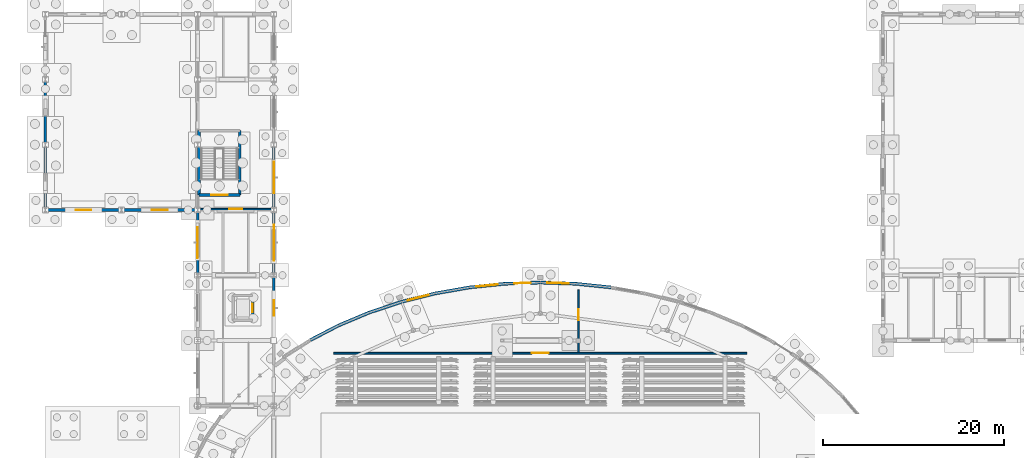
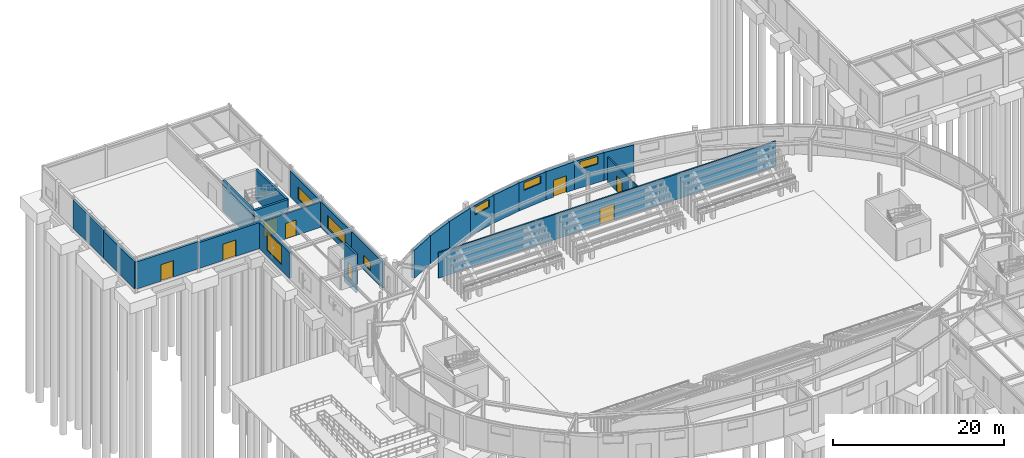
# One storey, part 60 of 93: 24 walls, 8 doors, 7 windows, 15 openings.
"""IFC4 building model written with IfcOpenShell, lengths in metres."""

from ifc_helpers import new_model, si_unit, derived_unit, direction, frame, frame_2d, origin, place, context, subcontext, project, spatial, rectangle, extrude, material, layer, layer_set, type_object, element, fill, save


model = new_model("IFC4")

# Units and contexts
model_context = context("Model", 3, precision=1e-05, world=origin(), true_north=direction((0.0, 1.0)))
body_context = subcontext(model_context, "Body", "Model", "MODEL_VIEW")
ifc_project = project(units=[si_unit("LENGTHUNIT", "METRE"), si_unit("AREAUNIT", "SQUARE_METRE"), si_unit("VOLUMEUNIT", "CUBIC_METRE"), si_unit("PLANEANGLEUNIT", "RADIAN"), si_unit("MASSUNIT", "GRAM", prefix="KILO"), derived_unit("THERMALTRANSMITTANCEUNIT", [(si_unit("MASSUNIT", "GRAM", prefix="KILO"), 1), (si_unit("TIMEUNIT", "SECOND"), -3), (si_unit("THERMODYNAMICTEMPERATUREUNIT", "KELVIN"), -1)])], contexts=[model_context])

# Site, building, storey
site_placement = place(None, origin())
site = spatial("IfcSite", under=ifc_project, at=site_placement, CompositionType="ELEMENT")
building_placement = place(site_placement, origin())
building = spatial("IfcBuilding", under=site, at=building_placement, Name="Kharveza Railside Sports Centre", CompositionType="ELEMENT")
storey_placement = place(building_placement, origin())
storey = spatial("IfcBuildingStorey", under=building, at=storey_placement, Name="L00", CompositionType="ELEMENT", Elevation=0.0)

# Wall, opening, door
ifc_material_1 = material(Name="Concrete C35/45", Category="concrete")
ifc_layer_1 = layer(ifc_material_1, 0.25, Name="Concrete C35/45")
ifc_layer_set_1 = layer_set([ifc_layer_1], Name="Concrete C35/45")
wall_type_1 = type_object("IfcWallType", Name="WL-CR250", PredefinedType="SHEAR", material=ifc_layer_set_1)
wall_1_placement = place(storey_placement, frame((22.875, 74.22509765625, -1.199951171875), z_axis=(0.0, 0.0, 1.0), x_axis=(0.0, 1.0, 0.0)))
wall_1 = element("IfcWall", 1, at=wall_1_placement, inside=storey, type_object=wall_type_1, Name="WL-LFSH-LF4-L00-E", PredefinedType="SHEAR", context=body_context, shape_type="SweptSolid", body=[
    extrude(rectangle(XDim=2.75, YDim=0.25, at=frame_2d((1.375, 0.0))), origin(), (0.0, 0.0, 1.0), 5.52001953125),
])
opening_1_placement = place(wall_1_placement, frame((0.89990234375, 0.0, 1.199951171875)))
opening_1 = element("IfcOpeningElement", 2, at=opening_1_placement, cuts=wall_1, Name="Opening D12", PredefinedType="OPENING", context=body_context, shape_type="SweptSolid", body=[
    extrude(rectangle(XDim=0.949951171875, YDim=2.10009765625, at=frame_2d((0.47509765625, 1.050048828125))), frame((0.0, 0.14990234375, 0.0), z_axis=(0.0, -1.0, 0.0), x_axis=(1.0, 0.0, 0.0)), (0.0, 0.0, 1.0), 0.2998046875),
])
ifc_material_2 = material(Name="Brushed stainless steel landing door", Category="steel")
door_type_1 = type_object("IfcDoorType", Name="DR-LF02", OperationType="NOTDEFINED", PredefinedType="DOOR", material=ifc_material_2)
door_1_placement = place(opening_1_placement, origin())
door_1 = element("IfcDoor", 3, at=door_1_placement, inside=storey, type_object=door_type_1, Name="DR-LD-LF4-L00", OperationType="SLIDING_TO_LEFT", OverallHeight=2.10009765625, OverallWidth=0.949951171875, PredefinedType="DOOR", context=body_context, shape_type="SweptSolid", body=[
    extrude(rectangle(XDim=0.949951171875, YDim=2.10009765625, at=frame_2d((0.47509765625, 1.050048828125))), frame((0.0, 0.02490234375, 0.0), z_axis=(0.0, -1.0, 0.0), x_axis=(1.0, 0.0, 0.0)), (0.0, 0.0, 1.0), 0.050048828125),
])
fill(opening_1, door_1)

ifc_layer_2 = layer(ifc_material_1, 0.300048828125, Name="Concrete C35/45")
ifc_layer_set_2 = layer_set([ifc_layer_2], Name="Concrete C35/45")
wall_type_2 = type_object("IfcWallType", Name="WL-CR300", PredefinedType="SHEAR", material=ifc_layer_set_2)
wall_2_placement = place(storey_placement, frame((16.949951171875, 88.050048828125, 0.0), z_axis=(0.0, 0.0, 1.0), x_axis=(1.0, 0.0, 0.0)))
wall_2 = element("IfcWall", 4, at=wall_2_placement, inside=storey, type_object=wall_type_2, Name="WL-CORE-ST6-L00-S", PredefinedType="SHEAR", context=body_context, shape_type="SweptSolid", body=[
    extrude(rectangle(XDim=4.5, YDim=0.300048828125, at=frame_2d((2.25, 0.0))), origin(), (0.0, 0.0, 1.0), 4.320068359375),
])
opening_2_placement = place(wall_2_placement, frame((1.35009765625, 0.0, 0.0)))
opening_2 = element("IfcOpeningElement", 5, at=opening_2_placement, cuts=wall_2, Name="Opening D08", PredefinedType="OPENING", context=body_context, shape_type="SweptSolid", body=[
    extrude(rectangle(XDim=1.800048828125, YDim=2.199951171875, at=frame_2d((0.89990234375, 1.10009765625))), frame((0.0, 0.1748046875, 0.0), z_axis=(0.0, -1.0, 0.0), x_axis=(1.0, 0.0, 0.0)), (0.0, 0.0, 1.0), 0.349853515625),
])
ifc_material_3 = material(Name="Fire-rated hardwood door leaf", Category="wood")
door_type_2 = type_object("IfcDoorType", Name="DR-ST01", OperationType="NOTDEFINED", PredefinedType="DOOR", material=ifc_material_3)
door_2_placement = place(opening_2_placement, frame((1.800048828125, 0.0, 0.0), z_axis=(0.0, 0.0, 1.0), x_axis=(-1.0, 0.0, 0.0)))
door_2 = element("IfcDoor", 6, at=door_2_placement, inside=storey, type_object=door_type_2, Name="DR-ST-ST6-L00", OperationType="DOUBLE_DOOR_SINGLE_SWING", OverallHeight=2.199951171875, OverallWidth=1.800048828125, PredefinedType="DOOR", context=body_context, shape_type="SweptSolid", body=[
    extrude(rectangle(XDim=1.800048828125, YDim=2.199951171875, at=frame_2d((0.89990234375, 1.10009765625))), frame((0.0, 0.02490234375, 0.0), z_axis=(0.0, -1.0, 0.0), x_axis=(1.0, 0.0, 0.0)), (0.0, 0.0, 1.0), 0.050048828125),
])
fill(opening_2, door_2)

# Walls
for number, where, z_axis, x_axis, name in (
    (7, (21.449951171875, 88.050048828125, 0.0), (0.0, 0.0, 1.0), (0.0, 1.0, 0.0), "WL-CORE-ST6-L00-E"),
    (8, (16.949951171875, 95.14990234375, 0.0), (0.0, 0.0, 1.0), (0.0, -1.0, 0.0), "WL-CORE-ST6-L00-W"),
):
    element("IfcWall", number, at=place(storey_placement, frame(where, z_axis=z_axis, x_axis=x_axis)), inside=storey, type_object=wall_type_2, Name=name, PredefinedType="SHEAR", context=body_context, shape_type="SweptSolid", body=[
        extrude(rectangle(XDim=7.099853515625, YDim=0.300048828125, at=frame_2d((3.5498046875, 0.0))), origin(), (0.0, 0.0, 1.0), 4.320068359375),
    ])
ifc_material_4 = material(Name="Precast concrete C40/50", Category="concrete")
ifc_layer_3 = layer(ifc_material_4, 0.360107421875, Name="Precast concrete C40/50")
ifc_layer_set_3 = layer_set([ifc_layer_3], Name="Precast concrete C40/50")
wall_type_3 = type_object("IfcWallType", Name="WL-DR360", PredefinedType="STANDARD", material=ifc_layer_set_3)
wall_3_placement = place(storey_placement, frame((62.403564453125, 77.862060546875, 0.0), z_axis=(0.0, 0.0, 1.0), x_axis=(-0.994654867494, 0.103255482032, 0.0)))
element("IfcWall", 9, at=wall_3_placement, inside=storey, type_object=wall_type_3, Name="WL-DRUM-L00-15", PredefinedType="STANDARD", context=body_context, shape_type="SweptSolid", body=[
    extrude(rectangle(XDim=3.903564453125, YDim=0.360107421875, at=frame_2d((1.95166015625, 0.0))), origin(), (0.0, 0.0, 1.0), 4.010009765625),
])

# Wall, opening, window
wall_4_placement = place(storey_placement, frame((58.520751953125, 78.26513671875, 0.0), z_axis=(0.0, 0.0, 1.0), x_axis=(-0.99940976287, 0.034352960278, 0.0)))
wall_4 = element("IfcWall", 10, at=wall_4_placement, inside=storey, type_object=wall_type_3, Name="WL-DRUM-L00-16", PredefinedType="STANDARD", context=body_context, shape_type="SweptSolid", body=[
    extrude(rectangle(XDim=3.9228515625, YDim=0.360107421875, at=frame_2d((1.96142578125, 0.0))), origin(), (0.0, 0.0, 1.0), 4.010009765625),
])
opening_3_placement = place(wall_4_placement, frame((0.761474609375, 0.0, 2.64990234375)))
opening_3 = element("IfcOpeningElement", 11, at=opening_3_placement, cuts=wall_4, Name="Opening WN09", PredefinedType="OPENING", context=body_context, shape_type="SweptSolid", body=[
    extrude(rectangle(XDim=2.39990234375, YDim=1.10009765625, at=frame_2d((1.199951171875, 0.550048828125))), frame((0.0, 0.205078125, 0.0), z_axis=(0.0, -1.0, 0.0), x_axis=(1.0, 0.0, 0.0)), (0.0, 0.0, 1.0), 0.409912109375),
])
ifc_material_5 = material(Name="Low-E solar-control laminated glass", Category="glass")
window_type_1 = type_object("IfcWindowType", Name="WN-F09", PartitioningType="SINGLE_PANEL", PredefinedType="WINDOW", material=ifc_material_5)
window_1_placement = place(opening_3_placement, origin())
window_1 = element("IfcWindow", 12, at=window_1_placement, inside=storey, type_object=window_type_1, Name="WN-DRUM-CL-16", OverallHeight=1.10009765625, OverallWidth=2.39990234375, PartitioningType="SINGLE_PANEL", PredefinedType="WINDOW", context=body_context, shape_type="SweptSolid", body=[
    extrude(rectangle(XDim=2.39990234375, YDim=1.10009765625, at=frame_2d((1.199951171875, 0.550048828125))), frame((0.0, 0.030029296875, 0.0), z_axis=(0.0, -1.0, 0.0), x_axis=(1.0, 0.0, 0.0)), (0.0, 0.0, 1.0), 0.06005859375),
])
fill(opening_3, window_1)

# Wall, opening, door
wall_5_placement = place(storey_placement, frame((54.60009765625, 78.39990234375, 0.0), z_axis=(0.0, 0.0, 1.0), x_axis=(-0.999409836307, -0.034350823763, 0.0)))
wall_5 = element("IfcWall", 13, at=wall_5_placement, inside=storey, type_object=wall_type_3, Name="WL-DRUM-L00-17", PredefinedType="STANDARD", context=body_context, shape_type="SweptSolid", body=[
    extrude(rectangle(XDim=3.923095703125, YDim=0.360107421875, at=frame_2d((1.96142578125, 0.0))), origin(), (0.0, 0.0, 1.0), 4.010009765625),
])
opening_4_placement = place(wall_5_placement, frame((1.0615234375, 0.0, 0.0)))
opening_4 = element("IfcOpeningElement", 14, at=opening_4_placement, cuts=wall_5, Name="Opening D03", PredefinedType="OPENING", context=body_context, shape_type="SweptSolid", body=[
    extrude(rectangle(XDim=1.800048828125, YDim=2.39990234375, at=frame_2d((0.89990234375, 1.199951171875))), frame((0.0, 0.205078125, 0.0), z_axis=(0.0, -1.0, 0.0), x_axis=(1.0, 0.0, 0.0)), (0.0, 0.0, 1.0), 0.409912109375),
])
ifc_material_6 = material(Name="Anodised aluminium 6063-T6", Category="aluminium")
door_type_3 = type_object("IfcDoorType", Name="DR-EX03", OperationType="NOTDEFINED", PredefinedType="DOOR", material=ifc_material_6)
door_3_placement = place(opening_4_placement, frame((1.800048828125, 0.0, 0.0), z_axis=(0.0, 0.0, 1.0), x_axis=(-1.0, 0.0, 0.0)))
door_3 = element("IfcDoor", 15, at=door_3_placement, inside=storey, type_object=door_type_3, Name="DR-DRUM-EX-17", OperationType="DOUBLE_DOOR_SINGLE_SWING", OverallHeight=2.39990234375, OverallWidth=1.800048828125, PredefinedType="DOOR", context=body_context, shape_type="SweptSolid", body=[
    extrude(rectangle(XDim=1.800048828125, YDim=2.39990234375, at=frame_2d((0.89990234375, 1.199951171875))), frame((0.0, 0.02490234375, 0.0), z_axis=(0.0, -1.0, 0.0), x_axis=(1.0, 0.0, 0.0)), (0.0, 0.0, 1.0), 0.050048828125),
])
fill(opening_4, door_3)

# Wall, opening, window
wall_6_placement = place(storey_placement, frame((50.67919921875, 78.26513671875, 0.0), z_axis=(0.0, 0.0, 1.0), x_axis=(-0.994654867494, -0.103255482032, 0.0)))
wall_6 = element("IfcWall", 16, at=wall_6_placement, inside=storey, type_object=wall_type_3, Name="WL-DRUM-L00-18", PredefinedType="STANDARD", context=body_context, shape_type="SweptSolid", body=[
    extrude(rectangle(XDim=3.903564453125, YDim=0.360107421875, at=frame_2d((1.95166015625, 0.0))), origin(), (0.0, 0.0, 1.0), 4.010009765625),
])
opening_5_placement = place(wall_6_placement, frame((0.751953125, 0.0, 2.64990234375)))
opening_5 = element("IfcOpeningElement", 17, at=opening_5_placement, cuts=wall_6, Name="Opening WN09", PredefinedType="OPENING", context=body_context, shape_type="SweptSolid", body=[
    extrude(rectangle(XDim=2.39990234375, YDim=1.10009765625, at=frame_2d((1.199951171875, 0.550048828125))), frame((0.0, 0.205078125, 0.0), z_axis=(0.0, -1.0, 0.0), x_axis=(1.0, 0.0, 0.0)), (0.0, 0.0, 1.0), 0.409912109375),
])
window_2_placement = place(opening_5_placement, origin())
window_2 = element("IfcWindow", 18, at=window_2_placement, inside=storey, type_object=window_type_1, Name="WN-DRUM-CL-18", OverallHeight=1.10009765625, OverallWidth=2.39990234375, PartitioningType="SINGLE_PANEL", PredefinedType="WINDOW", context=body_context, shape_type="SweptSolid", body=[
    extrude(rectangle(XDim=2.39990234375, YDim=1.10009765625, at=frame_2d((1.199951171875, 0.550048828125))), frame((0.0, 0.030029296875, 0.0), z_axis=(0.0, -1.0, 0.0), x_axis=(1.0, 0.0, 0.0)), (0.0, 0.0, 1.0), 0.06005859375),
])
fill(opening_5, window_2)

# Wall
wall_7_placement = place(storey_placement, frame((46.79638671875, 77.862060546875, 0.0), z_axis=(0.0, 0.0, 1.0), x_axis=(-0.984971163925, -0.172718864739, 0.0)))
element("IfcWall", 19, at=wall_7_placement, inside=storey, type_object=wall_type_3, Name="WL-DRUM-L00-19", PredefinedType="STANDARD", context=body_context, shape_type="SweptSolid", body=[
    extrude(rectangle(XDim=3.865966796875, YDim=0.360107421875, at=frame_2d((1.93310546875, 0.0))), origin(), (0.0, 0.0, 1.0), 4.010009765625),
])

# Wall, opening, window
wall_8_placement = place(storey_placement, frame((42.988525390625, 77.1943359375, 0.0), z_axis=(0.0, 0.0, 1.0), x_axis=(-0.970029313946, -0.242987921686, 0.0)))
wall_8 = element("IfcWall", 20, at=wall_8_placement, inside=storey, type_object=wall_type_3, Name="WL-DRUM-L00-20", PredefinedType="STANDARD", context=body_context, shape_type="SweptSolid", body=[
    extrude(rectangle(XDim=3.81005859375, YDim=0.360107421875, at=frame_2d((1.905029296875, 0.0))), origin(), (0.0, 0.0, 1.0), 4.010009765625),
])
opening_6_placement = place(wall_8_placement, frame((0.705078125, 0.0, 2.64990234375)))
opening_6 = element("IfcOpeningElement", 21, at=opening_6_placement, cuts=wall_8, Name="Opening WN09", PredefinedType="OPENING", context=body_context, shape_type="SweptSolid", body=[
    extrude(rectangle(XDim=2.39990234375, YDim=1.10009765625, at=frame_2d((1.199951171875, 0.550048828125))), frame((0.0, 0.205078125, 0.0), z_axis=(0.0, -1.0, 0.0), x_axis=(1.0, 0.0, 0.0)), (0.0, 0.0, 1.0), 0.409912109375),
])
window_3_placement = place(opening_6_placement, origin())
window_3 = element("IfcWindow", 22, at=window_3_placement, inside=storey, type_object=window_type_1, Name="WN-DRUM-CL-20", OverallHeight=1.10009765625, OverallWidth=2.39990234375, PartitioningType="SINGLE_PANEL", PredefinedType="WINDOW", context=body_context, shape_type="SweptSolid", body=[
    extrude(rectangle(XDim=2.39990234375, YDim=1.10009765625, at=frame_2d((1.199951171875, 0.550048828125))), frame((0.0, 0.030029296875, 0.0), z_axis=(0.0, -1.0, 0.0), x_axis=(1.0, 0.0, 0.0)), (0.0, 0.0, 1.0), 0.06005859375),
])
fill(opening_6, window_3)

# Walls
wall_9_placement = place(storey_placement, frame((39.292724609375, 76.2685546875, 0.0), z_axis=(0.0, 0.0, 1.0), x_axis=(-0.949327915917, -0.314287301781, 0.0)))
element("IfcWall", 23, at=wall_9_placement, inside=storey, type_object=wall_type_3, Name="WL-DRUM-L00-21", PredefinedType="STANDARD", context=body_context, shape_type="SweptSolid", body=[
    extrude(rectangle(XDim=3.738037109375, YDim=0.360107421875, at=frame_2d((1.869140625, 0.0))), origin(), (0.0, 0.0, 1.0), 4.010009765625),
])
wall_10_placement = place(storey_placement, frame((35.744140625, 75.09375, 0.0), z_axis=(0.0, 0.0, 1.0), x_axis=(-0.922130522386, -0.386878921219, 0.0)))
element("IfcWall", 24, at=wall_10_placement, inside=storey, type_object=wall_type_3, Name="WL-DRUM-L00-22", PredefinedType="STANDARD", context=body_context, shape_type="SweptSolid", body=[
    extrude(rectangle(XDim=3.6513671875, YDim=0.360107421875, at=frame_2d((1.82568359375, 0.0))), origin(), (0.0, 0.0, 1.0), 4.010009765625),
])
wall_11_placement = place(storey_placement, frame((32.377197265625, 73.68115234375, 0.0), z_axis=(0.0, 0.0, 1.0), x_axis=(-0.887505805709, -0.460796533009, 0.0)))
element("IfcWall", 25, at=wall_11_placement, inside=storey, type_object=wall_type_3, Name="WL-DRUM-L00-23", PredefinedType="STANDARD", context=body_context, shape_type="SweptSolid", body=[
    extrude(rectangle(XDim=3.552490234375, YDim=0.360107421875, at=frame_2d((1.7763671875, 0.0))), origin(), (0.0, 0.0, 1.0), 4.010009765625),
])

# Wall, opening, window
ifc_material_7 = material(Name="Acoustic mineral-wool metal cladding panel")
ifc_layer_4 = layer(ifc_material_7, 0.2900390625, Name="Acoustic mineral-wool metal cladding panel")
ifc_layer_set_4 = layer_set([ifc_layer_4], Name="Acoustic mineral-wool metal cladding panel")
wall_type_4 = type_object("IfcWallType", Name="WL-EX290", PredefinedType="STANDARD", material=ifc_layer_set_4)
wall_12_placement = place(storey_placement, frame((16.800048828125, 86.39990234375, 0.0), z_axis=(0.0, 0.0, 1.0), x_axis=(0.0, -1.0, 0.0)))
wall_12 = element("IfcWall", 26, at=wall_12_placement, inside=storey, type_object=wall_type_4, Name="WL-EXT-L00-064", PredefinedType="STANDARD", context=body_context, shape_type="SweptSolid", body=[
    extrude(rectangle(XDim=7.199951171875, YDim=0.2900390625, at=frame_2d((3.60009765625, 0.0))), origin(), (0.0, 0.0, 1.0), 3.705078125),
])
opening_7_placement = place(wall_12_placement, frame((1.89990234375, 0.0, 0.85009765625)))
opening_7 = element("IfcOpeningElement", 27, at=opening_7_placement, cuts=wall_12, Name="Opening WN13", PredefinedType="OPENING", context=body_context, shape_type="SweptSolid", body=[
    extrude(rectangle(XDim=3.39990234375, YDim=2.60009765625, at=frame_2d((1.699951171875, 1.300048828125))), frame((0.0, 0.169921875, 0.0), z_axis=(0.0, -1.0, 0.0), x_axis=(1.0, 0.0, 0.0)), (0.0, 0.0, 1.0), 0.33984375),
])
window_type_2 = type_object("IfcWindowType", Name="WN-F13", PartitioningType="SINGLE_PANEL", PredefinedType="WINDOW", material=ifc_material_5)
window_4_placement = place(opening_7_placement, origin())
window_4 = element("IfcWindow", 28, at=window_4_placement, inside=storey, type_object=window_type_2, Name="WN-EXT-L00-017", OverallHeight=2.60009765625, OverallWidth=3.39990234375, PartitioningType="SINGLE_PANEL", PredefinedType="WINDOW", context=body_context, shape_type="SweptSolid", body=[
    extrude(rectangle(XDim=3.39990234375, YDim=2.60009765625, at=frame_2d((1.699951171875, 1.300048828125))), frame((0.0, 0.030029296875, 0.0), z_axis=(0.0, -1.0, 0.0), x_axis=(1.0, 0.0, 0.0)), (0.0, 0.0, 1.0), 0.06005859375),
])
fill(opening_7, window_4)

wall_13_placement = place(storey_placement, frame((25.199951171875, 72.0, 0.0), z_axis=(0.0, 0.0, 1.0), x_axis=(0.0, 1.0, 0.0)))
wall_13 = element("IfcWall", 29, at=wall_13_placement, inside=storey, type_object=wall_type_4, Name="WL-EXT-L00-069", PredefinedType="STANDARD", context=body_context, shape_type="SweptSolid", body=[
    extrude(rectangle(XDim=7.199951171875, YDim=0.2900390625, at=frame_2d((3.60009765625, 0.0))), origin(), (0.0, 0.0, 1.0), 3.804931640625),
])
opening_8_placement = place(wall_13_placement, frame((2.75, 0.0, 0.85009765625)))
opening_8 = element("IfcOpeningElement", 30, at=opening_8_placement, cuts=wall_13, Name="Opening WN25", PredefinedType="OPENING", context=body_context, shape_type="SweptSolid", body=[
    extrude(rectangle(XDim=1.699951171875, YDim=1.25, at=frame_2d((0.85009765625, 0.625))), frame((0.0, 0.169921875, 0.0), z_axis=(0.0, -1.0, 0.0), x_axis=(1.0, 0.0, 0.0)), (0.0, 0.0, 1.0), 0.33984375),
])
window_type_3 = type_object("IfcWindowType", Name="WN-Z09", PartitioningType="SINGLE_PANEL", PredefinedType="WINDOW", material=ifc_material_5)
window_5_placement = place(opening_8_placement, origin())
window_5 = element("IfcWindow", 31, at=window_5_placement, inside=storey, type_object=window_type_3, Name="WN-EXT-L00-020", OverallHeight=1.25, OverallWidth=1.699951171875, PartitioningType="SINGLE_PANEL", PredefinedType="WINDOW", context=body_context, shape_type="SweptSolid", body=[
    extrude(rectangle(XDim=1.699951171875, YDim=1.25, at=frame_2d((0.85009765625, 0.625))), frame((0.0, 0.030029296875, 0.0), z_axis=(0.0, -1.0, 0.0), x_axis=(1.0, 0.0, 0.0)), (0.0, 0.0, 1.0), 0.06005859375),
])
fill(opening_8, window_5)

wall_14_placement = place(storey_placement, frame((25.199951171875, 79.199951171875, 0.0), z_axis=(0.0, 0.0, 1.0), x_axis=(0.0, 1.0, 0.0)))
wall_14 = element("IfcWall", 32, at=wall_14_placement, inside=storey, type_object=wall_type_4, Name="WL-EXT-L00-070", PredefinedType="STANDARD", context=body_context, shape_type="SweptSolid", body=[
    extrude(rectangle(XDim=7.199951171875, YDim=0.2900390625, at=frame_2d((3.60009765625, 0.0))), origin(), (0.0, 0.0, 1.0), 3.705078125),
])
opening_9_placement = place(wall_14_placement, frame((1.60009765625, 0.0, 0.85009765625)))
opening_9 = element("IfcOpeningElement", 33, at=opening_9_placement, cuts=wall_14, Name="Opening WN27", PredefinedType="OPENING", context=body_context, shape_type="SweptSolid", body=[
    extrude(rectangle(XDim=4.0, YDim=1.85009765625, at=frame_2d((2.0, 0.925048828125))), frame((0.0, 0.169921875, 0.0), z_axis=(0.0, -1.0, 0.0), x_axis=(1.0, 0.0, 0.0)), (0.0, 0.0, 1.0), 0.33984375),
])
window_type_4 = type_object("IfcWindowType", Name="WN-Z11", PartitioningType="SINGLE_PANEL", PredefinedType="WINDOW", material=ifc_material_5)
window_6_placement = place(opening_9_placement, origin())
window_6 = element("IfcWindow", 34, at=window_6_placement, inside=storey, type_object=window_type_4, Name="WN-EXT-L00-021", OverallHeight=1.85009765625, OverallWidth=4.0, PartitioningType="SINGLE_PANEL", PredefinedType="WINDOW", context=body_context, shape_type="SweptSolid", body=[
    extrude(rectangle(XDim=4.0, YDim=1.85009765625, at=frame_2d((2.0, 0.925048828125))), frame((0.0, 0.030029296875, 0.0), z_axis=(0.0, -1.0, 0.0), x_axis=(1.0, 0.0, 0.0)), (0.0, 0.0, 1.0), 0.06005859375),
])
fill(opening_9, window_6)

wall_15_placement = place(storey_placement, frame((25.199951171875, 86.39990234375, 0.0), z_axis=(0.0, 0.0, 1.0), x_axis=(0.0, 1.0, 0.0)))
wall_15 = element("IfcWall", 35, at=wall_15_placement, inside=storey, type_object=wall_type_4, Name="WL-EXT-L00-071", PredefinedType="STANDARD", context=body_context, shape_type="SweptSolid", body=[
    extrude(rectangle(XDim=7.2001953125, YDim=0.2900390625, at=frame_2d((3.60009765625, 0.0))), origin(), (0.0, 0.0, 1.0), 3.705078125),
])
opening_10_placement = place(wall_15_placement, frame((1.85009765625, 0.0, 0.85009765625)))
opening_10 = element("IfcOpeningElement", 36, at=opening_10_placement, cuts=wall_15, Name="Opening WN28", PredefinedType="OPENING", context=body_context, shape_type="SweptSolid", body=[
    extrude(rectangle(XDim=3.5, YDim=1.699951171875, at=frame_2d((1.75, 0.85009765625))), frame((0.0, 0.169921875, 0.0), z_axis=(0.0, -1.0, 0.0), x_axis=(1.0, 0.0, 0.0)), (0.0, 0.0, 1.0), 0.33984375),
])
window_type_5 = type_object("IfcWindowType", Name="WN-Z12", PartitioningType="SINGLE_PANEL", PredefinedType="WINDOW", material=ifc_material_5)
window_7_placement = place(opening_10_placement, origin())
window_7 = element("IfcWindow", 37, at=window_7_placement, inside=storey, type_object=window_type_5, Name="WN-EXT-L00-022", OverallHeight=1.699951171875, OverallWidth=3.5, PartitioningType="SINGLE_PANEL", PredefinedType="WINDOW", context=body_context, shape_type="SweptSolid", body=[
    extrude(rectangle(XDim=3.5, YDim=1.699951171875, at=frame_2d((1.75, 0.85009765625))), frame((0.0, 0.030029296875, 0.0), z_axis=(0.0, -1.0, 0.0), x_axis=(1.0, 0.0, 0.0)), (0.0, 0.0, 1.0), 0.06005859375),
])
fill(opening_10, window_7)

# Walls
wall_16_placement = place(storey_placement, frame((0.0, 100.800048828125, 0.0), z_axis=(0.0, 0.0, 1.0), x_axis=(0.0, -1.0, 0.0)))
element("IfcWall", 38, at=wall_16_placement, inside=storey, type_object=wall_type_4, Name="WL-EXT-L00-078", PredefinedType="STANDARD", context=body_context, shape_type="SweptSolid", body=[
    extrude(rectangle(XDim=7.199951171875, YDim=0.2900390625, at=frame_2d((3.60009765625, 0.0))), origin(), (0.0, 0.0, 1.0), 4.044921875),
])
wall_17_placement = place(storey_placement, frame((0.0, 93.60009765625, 0.0), z_axis=(0.0, 0.0, 1.0), x_axis=(0.0, -1.0, 0.0)))
element("IfcWall", 39, at=wall_17_placement, inside=storey, type_object=wall_type_4, Name="WL-EXT-L00-079", PredefinedType="STANDARD", context=body_context, shape_type="SweptSolid", body=[
    extrude(rectangle(XDim=7.2001953125, YDim=0.2900390625, at=frame_2d((3.60009765625, 0.0))), origin(), (0.0, 0.0, 1.0), 3.885009765625),
])

# Wall, opening, door
wall_18_placement = place(storey_placement, frame((0.0, 86.39990234375, 0.0), z_axis=(0.0, 0.0, 1.0), x_axis=(1.0, 0.0, 0.0)))
wall_18 = element("IfcWall", 40, at=wall_18_placement, inside=storey, type_object=wall_type_4, Name="WL-EXT-L00-080", PredefinedType="STANDARD", context=body_context, shape_type="SweptSolid", body=[
    extrude(rectangle(XDim=8.39990234375, YDim=0.2900390625, at=frame_2d((4.199951171875, 0.0))), origin(), (0.0, 0.0, 1.0), 3.885009765625),
])
opening_11_placement = place(wall_18_placement, frame((3.324951171875, 0.0, 0.0)))
opening_11 = element("IfcOpeningElement", 41, at=opening_11_placement, cuts=wall_18, Name="Opening D31", PredefinedType="OPENING", context=body_context, shape_type="SweptSolid", body=[
    extrude(rectangle(XDim=1.75, YDim=2.35009765625, at=frame_2d((0.875, 1.175048828125))), frame((0.0, 0.169921875, 0.0), z_axis=(0.0, -1.0, 0.0), x_axis=(1.0, 0.0, 0.0)), (0.0, 0.0, 1.0), 0.33984375),
])
door_type_4 = type_object("IfcDoorType", Name="DR-Z07", OperationType="NOTDEFINED", PredefinedType="DOOR", material=ifc_material_6)
door_4_placement = place(opening_11_placement, frame((1.75, 0.0, 0.0), z_axis=(0.0, 0.0, 1.0), x_axis=(-1.0, 0.0, 0.0)))
door_4 = element("IfcDoor", 42, at=door_4_placement, inside=storey, type_object=door_type_4, Name="DR-CLIMB-EX-025", OperationType="DOUBLE_DOOR_SINGLE_SWING", OverallHeight=2.35009765625, OverallWidth=1.75, PredefinedType="DOOR", context=body_context, shape_type="SweptSolid", body=[
    extrude(rectangle(XDim=1.75, YDim=2.35009765625, at=frame_2d((0.875, 1.175048828125))), frame((0.0, 0.02490234375, 0.0), z_axis=(0.0, -1.0, 0.0), x_axis=(1.0, 0.0, 0.0)), (0.0, 0.0, 1.0), 0.050048828125),
])
fill(opening_11, door_4)

wall_19_placement = place(storey_placement, frame((8.39990234375, 86.39990234375, 0.0), z_axis=(0.0, 0.0, 1.0), x_axis=(1.0, 0.0, 0.0)))
wall_19 = element("IfcWall", 43, at=wall_19_placement, inside=storey, type_object=wall_type_4, Name="WL-EXT-L00-081", PredefinedType="STANDARD", context=body_context, shape_type="SweptSolid", body=[
    extrude(rectangle(XDim=8.400146484375, YDim=0.2900390625, at=frame_2d((4.2001953125, 0.0))), origin(), (0.0, 0.0, 1.0), 3.705078125),
])
opening_12_placement = place(wall_19_placement, frame((3.324951171875, 0.0, 0.0)))
opening_12 = element("IfcOpeningElement", 44, at=opening_12_placement, cuts=wall_19, Name="Opening D31", PredefinedType="OPENING", context=body_context, shape_type="SweptSolid", body=[
    extrude(rectangle(XDim=1.75, YDim=2.35009765625, at=frame_2d((0.875, 1.175048828125))), frame((0.0, 0.169921875, 0.0), z_axis=(0.0, -1.0, 0.0), x_axis=(1.0, 0.0, 0.0)), (0.0, 0.0, 1.0), 0.33984375),
])
door_5_placement = place(opening_12_placement, frame((1.75, 0.0, 0.0), z_axis=(0.0, 0.0, 1.0), x_axis=(-1.0, 0.0, 0.0)))
door_5 = element("IfcDoor", 45, at=door_5_placement, inside=storey, type_object=door_type_4, Name="DR-CLIMB-EX-026", OperationType="DOUBLE_DOOR_SINGLE_SWING", OverallHeight=2.35009765625, OverallWidth=1.75, PredefinedType="DOOR", context=body_context, shape_type="SweptSolid", body=[
    extrude(rectangle(XDim=1.75, YDim=2.35009765625, at=frame_2d((0.875, 1.175048828125))), frame((0.0, 0.02490234375, 0.0), z_axis=(0.0, -1.0, 0.0), x_axis=(1.0, 0.0, 0.0)), (0.0, 0.0, 1.0), 0.050048828125),
])
fill(opening_12, door_5)

ifc_layer_5 = layer(ifc_material_1, 0.159912109375, Name="Concrete C35/45")
ifc_layer_set_5 = layer_set([ifc_layer_5], Name="Concrete C35/45")
wall_type_5 = type_object("IfcWallType", Name="WL-PT160", PredefinedType="PARTITIONING", material=ifc_layer_set_5)
wall_20_placement = place(storey_placement, frame((58.800048828125, 70.699951171875, 0.0), z_axis=(0.0, 0.0, 1.0), x_axis=(0.0, 1.0, 0.0)))
wall_20 = element("IfcWall", 46, at=wall_20_placement, inside=storey, type_object=wall_type_5, Name="WL-INT-L00-008", PredefinedType="PARTITIONING", context=body_context, shape_type="SweptSolid", body=[
    extrude(rectangle(XDim=6.900146484375, YDim=0.159912109375, at=frame_2d((3.4501953125, 0.0))), origin(), (0.0, 0.0, 1.0), 3.6201171875),
])
opening_13_placement = place(wall_20_placement, frame((3.52490234375, 0.0, 0.0)))
opening_13 = element("IfcOpeningElement", 47, at=opening_13_placement, cuts=wall_20, Name="Opening D22", PredefinedType="OPENING", context=body_context, shape_type="SweptSolid", body=[
    extrude(rectangle(XDim=1.25, YDim=2.199951171875, at=frame_2d((0.625, 1.10009765625))), frame((0.0, 0.10498046875, 0.0), z_axis=(0.0, -1.0, 0.0), x_axis=(1.0, 0.0, 0.0)), (0.0, 0.0, 1.0), 0.209716796875),
])
door_type_5 = type_object("IfcDoorType", Name="DR-PL02", OperationType="NOTDEFINED", PredefinedType="DOOR", material=ifc_material_3)
door_6_placement = place(opening_13_placement, origin())
door_6 = element("IfcDoor", 48, at=door_6_placement, inside=storey, type_object=door_type_5, Name="DR-INT-L00-007", OperationType="SINGLE_SWING_RIGHT", OverallHeight=2.199951171875, OverallWidth=1.25, PredefinedType="DOOR", context=body_context, shape_type="SweptSolid", body=[
    extrude(rectangle(XDim=1.25, YDim=2.199951171875, at=frame_2d((0.625, 1.10009765625))), frame((0.0, 0.02490234375, 0.0), z_axis=(0.0, -1.0, 0.0), x_axis=(1.0, 0.0, 0.0)), (0.0, 0.0, 1.0), 0.050048828125),
])
fill(opening_13, door_6)

wall_21_placement = place(storey_placement, frame((16.949951171875, 86.5, 0.0), z_axis=(0.0, 0.0, 1.0), x_axis=(1.0, 0.0, 0.0)))
wall_21 = element("IfcWall", 49, at=wall_21_placement, inside=storey, type_object=wall_type_5, Name="WL-INT-L00-012", PredefinedType="PARTITIONING", context=body_context, shape_type="SweptSolid", body=[
    extrude(rectangle(XDim=8.10009765625, YDim=0.159912109375, at=frame_2d((4.050048828125, 0.0))), origin(), (0.0, 0.0, 1.0), 3.6201171875),
])
opening_14_placement = place(wall_21_placement, frame((3.324951171875, 0.0, 0.0)))
opening_14 = element("IfcOpeningElement", 50, at=opening_14_placement, cuts=wall_21, Name="Opening D26", PredefinedType="OPENING", context=body_context, shape_type="SweptSolid", body=[
    extrude(rectangle(XDim=1.449951171875, YDim=2.199951171875, at=frame_2d((0.72509765625, 1.10009765625))), frame((0.0, 0.10498046875, 0.0), z_axis=(0.0, -1.0, 0.0), x_axis=(1.0, 0.0, 0.0)), (0.0, 0.0, 1.0), 0.209716796875),
])
door_type_6 = type_object("IfcDoorType", Name="DR-Z02", OperationType="NOTDEFINED", PredefinedType="DOOR", material=ifc_material_3)
door_7_placement = place(opening_14_placement, origin())
door_7 = element("IfcDoor", 51, at=door_7_placement, inside=storey, type_object=door_type_6, Name="DR-INT-L00-011", OperationType="SINGLE_SWING_RIGHT", OverallHeight=2.199951171875, OverallWidth=1.449951171875, PredefinedType="DOOR", context=body_context, shape_type="SweptSolid", body=[
    extrude(rectangle(XDim=1.449951171875, YDim=2.199951171875, at=frame_2d((0.72509765625, 1.10009765625))), frame((0.0, 0.02490234375, 0.0), z_axis=(0.0, -1.0, 0.0), x_axis=(1.0, 0.0, 0.0)), (0.0, 0.0, 1.0), 0.050048828125),
])
fill(opening_14, door_7)

ifc_material_8 = material(Name="Gypsum board acoustic stud partition")
ifc_layer_6 = layer(ifc_material_8, 0.199951171875, Name="Gypsum board acoustic stud partition")
ifc_layer_set_6 = layer_set([ifc_layer_6], Name="Gypsum board acoustic stud partition")
wall_type_6 = type_object("IfcWallType", Name="WL-PT200", PredefinedType="PARTITIONING", material=ifc_layer_set_6)
wall_22_placement = place(storey_placement, frame((31.800048828125, 70.60009765625, 0.0), z_axis=(0.0, 0.0, 1.0), x_axis=(1.0, 0.0, 0.0)))
wall_22 = element("IfcWall", 52, at=wall_22_placement, inside=storey, type_object=wall_type_6, Name="WL-INT-L00-006", PredefinedType="PARTITIONING", context=body_context, shape_type="SweptSolid", body=[
    extrude(rectangle(XDim=45.599853515625, YDim=0.199951171875, at=frame_2d((22.7998046875, 0.0))), origin(), (0.0, 0.0, 1.0), 3.6201171875),
])
opening_15_placement = place(wall_22_placement, frame((21.85009765625, 0.0, 0.0)))
opening_15 = element("IfcOpeningElement", 53, at=opening_15_placement, cuts=wall_22, Name="Opening D13", PredefinedType="OPENING", context=body_context, shape_type="SweptSolid", body=[
    extrude(rectangle(XDim=1.89990234375, YDim=2.35009765625, at=frame_2d((0.949951171875, 1.175048828125))), frame((0.0, 0.125, 0.0), z_axis=(0.0, -1.0, 0.0), x_axis=(1.0, 0.0, 0.0)), (0.0, 0.0, 1.0), 0.249755859375),
])
door_type_7 = type_object("IfcDoorType", Name="DR-IN01", OperationType="NOTDEFINED", PredefinedType="DOOR", material=ifc_material_3)
door_8_placement = place(opening_15_placement, origin())
door_8 = element("IfcDoor", 54, at=door_8_placement, inside=storey, type_object=door_type_7, Name="DR-INT-L00-005", OperationType="DOUBLE_DOOR_SINGLE_SWING", OverallHeight=2.35009765625, OverallWidth=1.89990234375, PredefinedType="DOOR", context=body_context, shape_type="SweptSolid", body=[
    extrude(rectangle(XDim=1.89990234375, YDim=2.35009765625, at=frame_2d((0.949951171875, 1.175048828125))), frame((0.0, 0.02490234375, 0.0), z_axis=(0.0, -1.0, 0.0), x_axis=(1.0, 0.0, 0.0)), (0.0, 0.0, 1.0), 0.050048828125),
])
fill(opening_15, door_8)

save(model, "model.ifc")
